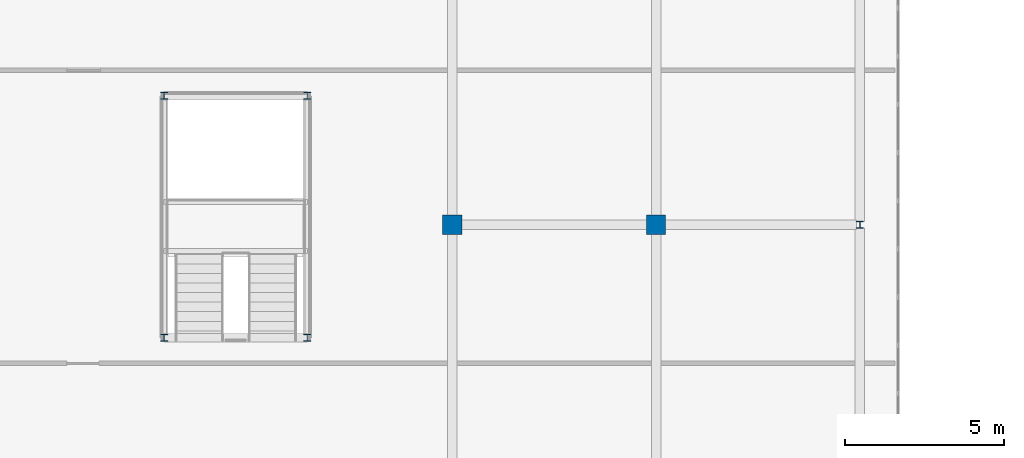
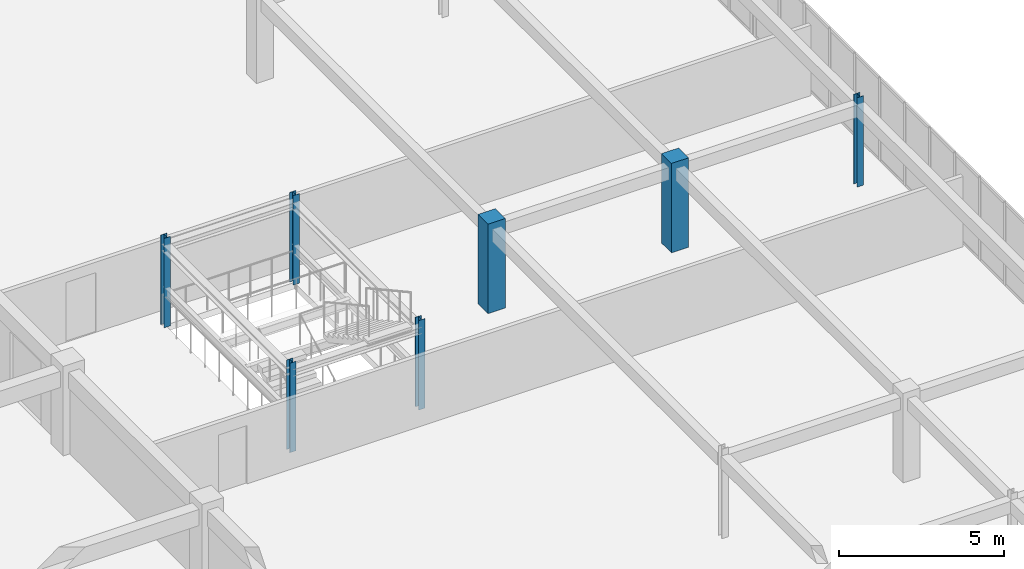
# One storey, part 14 of 200: 7 columns.
"""IFC4 building model written with IfcOpenShell, lengths in metres."""

from ifc_helpers import new_model, si_unit, direction, frame, origin, origin_2d, place, context, subcontext, project, spatial, rectangle, i_section, extrude, material, material_profile, profile_set, type_object, element, save


model = new_model("IFC4")

# Units and contexts
model_context = context("Model", 3, precision=1e-05, world=origin(), true_north=direction((0.0, 1.0)))
body_context = subcontext(model_context, "Body", "Model", "MODEL_VIEW")
ifc_project = project(units=[si_unit("LENGTHUNIT", "METRE"), si_unit("AREAUNIT", "SQUARE_METRE"), si_unit("VOLUMEUNIT", "CUBIC_METRE"), si_unit("PLANEANGLEUNIT", "RADIAN"), si_unit("MASSUNIT", "GRAM", prefix="KILO")], contexts=[model_context])

# Site, building, storey
site_placement = place(None, origin())
site = spatial("IfcSite", under=ifc_project, at=site_placement, CompositionType="ELEMENT")
building_placement = place(site_placement, origin())
building = spatial("IfcBuilding", under=site, at=building_placement, Name="Trelvath General Hospital", CompositionType="ELEMENT")
storey_placement = place(building_placement, frame((0.0, 0.0, 4.800048828125)))
storey = spatial("IfcBuildingStorey", under=building, at=storey_placement, Name="L01", CompositionType="ELEMENT", Elevation=4.800048828125)

# Columns
ifc_material_1 = material(Name="Concrete C40/50", Category="concrete")
ifc_material_profile_1 = material_profile(ifc_material_1, rectangle(XDim=0.60009765625, YDim=0.60009765625, at=origin_2d()), Name="RC600x600")
ifc_profile_set_1 = profile_set([ifc_material_profile_1], Name="Concrete C40/50")
column_type_1 = type_object("IfcColumnType", Name="Column RC600", PredefinedType="COLUMN", material=ifc_profile_set_1)
for number, where, z_axis, x_axis, name in (
    (1, (107.199951171875, 58.800048828125, 0.0), (0.0, 0.0, 1.0), (1.0, 0.0, 0.0), "Cube Interior Column CC-E04 L01"),
    (2, (113.60009765625, 58.800048828125, 0.0), (0.0, 0.0, 1.0), (1.0, 0.0, 0.0), "Cube Interior Column CC-E11 L01"),
):
    element("IfcColumn", number, at=place(storey_placement, frame(where, z_axis=z_axis, x_axis=x_axis)), inside=storey, type_object=column_type_1, Name=name, PredefinedType="COLUMN", context=body_context, shape_type="SweptSolid", body=[
        extrude(rectangle(XDim=0.60009765625, YDim=0.60009765625, at=origin_2d()), origin(), (0.0, 0.0, 1.0), 3.300048828125),
    ])
ifc_material_2 = material(Name="Steel S355", Category="steel")
ifc_material_profile_2 = material_profile(ifc_material_2, i_section(OverallWidth=0.219970703125, OverallDepth=0.219970703125, WebThickness=0.009521484375, FlangeThickness=0.01611328125, at=origin_2d()), Name="HEB220")
ifc_profile_set_2 = profile_set([ifc_material_profile_2], Name="Steel S355")
column_type_2 = type_object("IfcColumnType", Name="CubePost HEB220", PredefinedType="COLUMN", material=ifc_profile_set_2)
column_placement = place(storey_placement, frame((120.0, 58.800048828125, 0.0), z_axis=(0.0, 0.0, 1.0), x_axis=(1.0, 0.0, 0.0)))
element("IfcColumn", 3, at=column_placement, inside=storey, type_object=column_type_2, Name="Cube Interior Column CC-E18 L01", PredefinedType="COLUMN", context=body_context, shape_type="SweptSolid", body=[
    extrude(i_section(OverallWidth=0.219970703125, OverallDepth=0.219970703125, WebThickness=0.009521484375, FlangeThickness=0.01611328125, at=origin_2d()), origin(), (0.0, 0.0, 1.0), 3.300048828125),
])
ifc_material_3 = material(Name="Steel S355", Category="steel")
ifc_material_profile_3 = material_profile(ifc_material_3, i_section(OverallWidth=0.219970703125, OverallDepth=0.2099609375, WebThickness=0.007080078125, FlangeThickness=0.010986328125, at=origin_2d()), Name="HEA220")
ifc_profile_set_3 = profile_set([ifc_material_profile_3], Name="Steel S355")
column_type_3 = type_object("IfcColumnType", Name="StairPost HEA220", PredefinedType="COLUMN", material=ifc_profile_set_3)
for number, where, z_axis, x_axis, name in (
    (4, (98.14990234375, 55.25, 0.0), (0.0, 0.0, 1.0), (1.0, 0.0, 0.0), "Atrium Stair Post CUBE-E 1 L01"),
    (5, (102.64990234375, 55.25, 0.0), (0.0, 0.0, 1.0), (1.0, 0.0, 0.0), "Atrium Stair Post CUBE-E 2 L01"),
    (6, (98.14990234375, 62.85009765625, 0.0), (0.0, 0.0, 1.0), (1.0, 0.0, 0.0), "Atrium Stair Post CUBE-E 3 L01"),
    (7, (102.64990234375, 62.85009765625, 0.0), (0.0, 0.0, 1.0), (1.0, 0.0, 0.0), "Atrium Stair Post CUBE-E 4 L01"),
):
    element("IfcColumn", number, at=place(storey_placement, frame(where, z_axis=z_axis, x_axis=x_axis)), inside=storey, type_object=column_type_3, Name=name, PredefinedType="COLUMN", context=body_context, shape_type="SweptSolid", body=[
        extrude(i_section(OverallWidth=0.219970703125, OverallDepth=0.2099609375, WebThickness=0.007080078125, FlangeThickness=0.010986328125, at=origin_2d()), origin(), (0.0, 0.0, 1.0), 3.300048828125),
    ])

save(model, "model.ifc")
